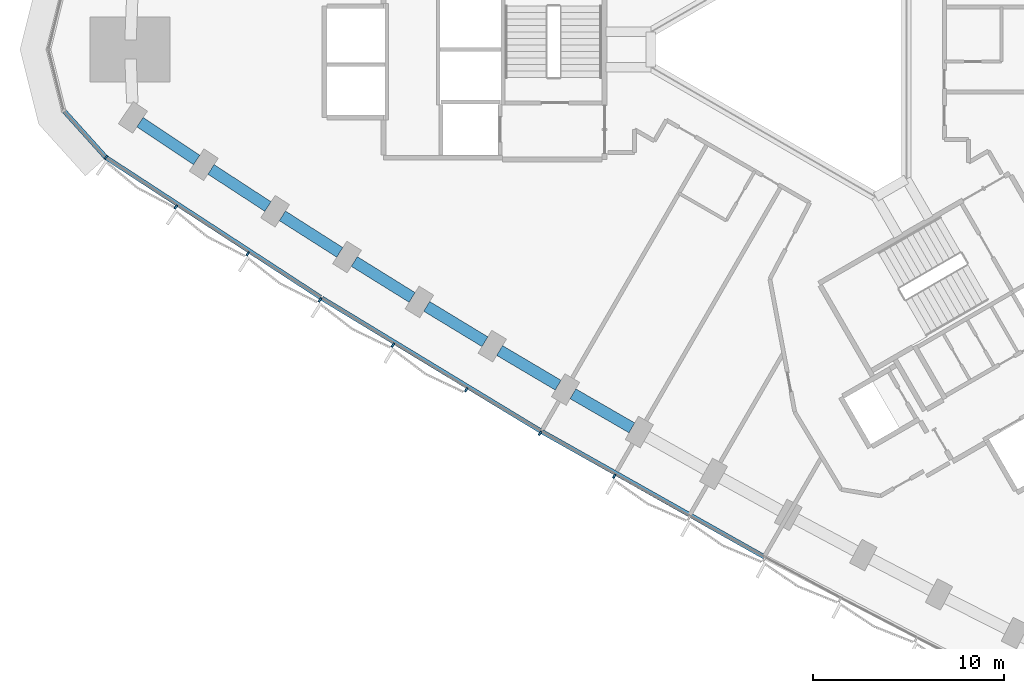
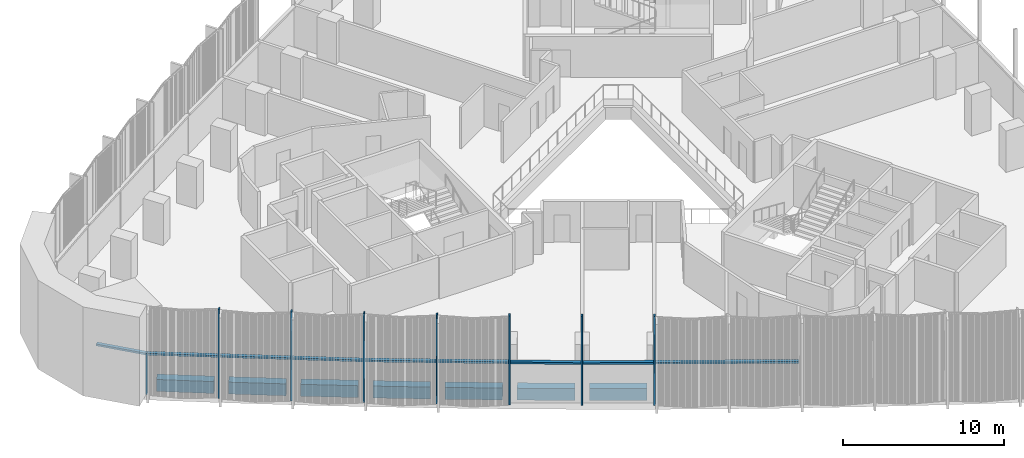
# One storey, part 2 of 16: 12 members, 7 beams, 2 elements without a shape of their own.
"""IFC4 building model written with IfcOpenShell, lengths in metres."""

from ifc_helpers import new_model, si_unit, direction, frame, origin, origin_2d, place, context, subcontext, project, spatial, rectangle, extrude, material, material_profile, profile_set, type_object, element, aggregate, save


model = new_model("IFC4")

# Units and contexts
model_context = context("Model", 3, precision=1e-05, world=origin(), true_north=direction((0.0, 1.0)))
body_context = subcontext(model_context, "Body", "Model", "MODEL_VIEW")
ifc_project = project(units=[si_unit("LENGTHUNIT", "METRE"), si_unit("AREAUNIT", "SQUARE_METRE"), si_unit("VOLUMEUNIT", "CUBIC_METRE"), si_unit("PLANEANGLEUNIT", "RADIAN"), si_unit("MASSUNIT", "GRAM", prefix="KILO")], contexts=[model_context])

# Site, building, storey
site_placement = place(None, origin())
site = spatial("IfcSite", under=ifc_project, at=site_placement, CompositionType="ELEMENT")
building_placement = place(site_placement, origin())
building = spatial("IfcBuilding", under=site, at=building_placement, Name="Tamra Quay Hotel Tower", CompositionType="ELEMENT")
storey_placement = place(building_placement, frame((0.0, 0.0, 56.60009765625)))
storey = spatial("IfcBuildingStorey", under=building, at=storey_placement, Name="L12", CompositionType="ELEMENT", Elevation=56.60009765625)

# Curtain wall, members
ifc_material_1 = material(Name="Aluminium 6063 anodised dark grey", Category="aluminium")
curtain_wall_type_1 = type_object("IfcCurtainWallType", Name="CW3 CURTAIN WALL", PredefinedType="NOTDEFINED", material=ifc_material_1)
curtain_wall_1_placement = place(storey_placement, origin())
curtain_wall_1 = element("IfcCurtainWall", 1, at=curtain_wall_1_placement, inside=storey, type_object=curtain_wall_type_1, Name="CW3 south-west face L12", PredefinedType="NOTDEFINED")
ifc_material_profile_1 = material_profile(ifc_material_1, rectangle(XDim=0.239990234375, YDim=0.10009765625, at=origin_2d()), Name="MULLION 100X240")
ifc_profile_set_1 = profile_set([ifc_material_profile_1], Name="Aluminium 6063 anodised dark grey")
member_type_1 = type_object("IfcMemberType", Name="MULLION CW3 Z1", PredefinedType="MULLION", material=ifc_profile_set_1)
member_1_placement = place(storey_placement, frame((-37.001708984375, -5.6669921875, 0.0), z_axis=(0.0, 0.0, 1.0), x_axis=(-0.654196739281, -0.756324418695, 0.0)))
member_1 = element("IfcMember", 2, at=member_1_placement, type_object=member_type_1, Name="CW3 mullion L12.SW.1", PredefinedType="MULLION", context=body_context, shape_type="SweptSolid", body=[
    extrude(rectangle(XDim=0.239990234375, YDim=0.10009765625, at=origin_2d()), origin(), (0.0, 0.0, 1.0), 3.125),
])
member_2_placement = place(storey_placement, frame((-33.32763671875, -8.262939453125, 0.0), z_axis=(0.0, 0.0, 1.0), x_axis=(-0.550591210923, -0.834775010679, 0.0)))
member_2 = element("IfcMember", 3, at=member_2_placement, type_object=member_type_1, Name="CW3 mullion L12.SW.2", PredefinedType="MULLION", context=body_context, shape_type="SweptSolid", body=[
    extrude(rectangle(XDim=0.239990234375, YDim=0.10009765625, at=origin_2d()), origin(), (0.0, 0.0, 1.0), 6.724853515625),
])
member_3_placement = place(storey_placement, frame((-29.5576171875, -10.720458984375, 0.0), z_axis=(0.0, 0.0, 1.0), x_axis=(-0.541560699791, -0.840661649204, 0.0)))
member_3 = element("IfcMember", 4, at=member_3_placement, type_object=member_type_1, Name="CW3 mullion L12.SW.3", PredefinedType="MULLION", context=body_context, shape_type="SweptSolid", body=[
    extrude(rectangle(XDim=0.239990234375, YDim=0.10009765625, at=origin_2d()), origin(), (0.0, 0.0, 1.0), 6.724853515625),
])
member_4_placement = place(storey_placement, frame((-25.7626953125, -13.136474609375, 0.0), z_axis=(0.0, 0.0, 1.0), x_axis=(-0.532446769932, -0.846463488397, 0.0)))
member_4 = element("IfcMember", 5, at=member_4_placement, type_object=member_type_1, Name="CW3 mullion L12.SW.4", PredefinedType="MULLION", context=body_context, shape_type="SweptSolid", body=[
    extrude(rectangle(XDim=0.239990234375, YDim=0.10009765625, at=origin_2d()), origin(), (0.0, 0.0, 1.0), 6.724853515625),
])
member_5_placement = place(storey_placement, frame((-21.94189453125, -15.510986328125, 0.0), z_axis=(0.0, 0.0, 1.0), x_axis=(-0.523257107809, -0.852174864173, 0.0)))
member_5 = element("IfcMember", 6, at=member_5_placement, type_object=member_type_1, Name="CW3 mullion L12.SW.5", PredefinedType="MULLION", context=body_context, shape_type="SweptSolid", body=[
    extrude(rectangle(XDim=0.239990234375, YDim=0.10009765625, at=origin_2d()), origin(), (0.0, 0.0, 1.0), 6.724853515625),
])
member_6_placement = place(storey_placement, frame((-18.09423828125, -17.844970703125, 0.0), z_axis=(0.0, 0.0, 1.0), x_axis=(-0.514004208519, -0.857787662318, 0.0)))
member_6 = element("IfcMember", 7, at=member_6_placement, type_object=member_type_1, Name="CW3 mullion L12.SW.6", PredefinedType="MULLION", context=body_context, shape_type="SweptSolid", body=[
    extrude(rectangle(XDim=0.239990234375, YDim=0.10009765625, at=origin_2d()), origin(), (0.0, 0.0, 1.0), 6.724853515625),
])
member_7_placement = place(storey_placement, frame((-14.222900390625, -20.136474609375, 0.0), z_axis=(0.0, 0.0, 1.0), x_axis=(-0.504684780346, -0.863303696556, 0.0)))
member_7 = element("IfcMember", 8, at=member_7_placement, type_object=member_type_1, Name="CW3 mullion L12.SW.7", PredefinedType="MULLION", context=body_context, shape_type="SweptSolid", body=[
    extrude(rectangle(XDim=0.239990234375, YDim=0.10009765625, at=origin_2d()), origin(), (0.0, 0.0, 1.0), 6.724853515625),
])
member_8_placement = place(storey_placement, frame((-10.3271484375, -22.3857421875, 0.0), z_axis=(0.0, 0.0, 1.0), x_axis=(-0.495300542226, -0.868721688961, 0.0)))
member_8 = element("IfcMember", 9, at=member_8_placement, type_object=member_type_1, Name="CW3 mullion L12.SW.8", PredefinedType="MULLION", context=body_context, shape_type="SweptSolid", body=[
    extrude(rectangle(XDim=0.239990234375, YDim=0.10009765625, at=origin_2d()), origin(), (0.0, 0.0, 1.0), 6.724853515625),
])

# Beams
ifc_material_2 = material(Name="Concrete M60", Category="concrete")
ifc_material_profile_2 = material_profile(ifc_material_2, rectangle(XDim=0.60009765625, YDim=0.89990234375, at=origin_2d()), Name="SPANDREL BEAM RC 600x900")
ifc_profile_set_2 = profile_set([ifc_material_profile_2], Name="Concrete M60")
beam_type = type_object("IfcBeamType", Name="SPANDREL BEAM RC 600x900", PredefinedType="SPANDREL", material=ifc_profile_set_2)
beam_1_placement = place(storey_placement, frame((-35.209228515625, -3.814697265625, -0.925048828125), z_axis=(0.831818807601, -0.555047269448, 0.0), x_axis=(0.555047269448, 0.831818807601, 0.0)))
element("IfcBeam", 10, at=beam_1_placement, inside=storey, type_object=beam_type, Name="BM-SP1-030-L12", PredefinedType="SPANDREL", context=body_context, shape_type="SweptSolid", body=[
    extrude(rectangle(XDim=0.60009765625, YDim=0.89990234375, at=origin_2d()), origin(), (0.0, 0.0, 1.0), 3.57080078125),
])
beam_2_placement = place(storey_placement, frame((-31.48779296875, -6.292236328125, -0.925048828125), z_axis=(0.837739819239, -0.546069588296, 0.0), x_axis=(0.546069588296, 0.837739819239, 0.0)))
element("IfcBeam", 11, at=beam_2_placement, inside=storey, type_object=beam_type, Name="BM-SP1-031-L12", PredefinedType="SPANDREL", context=body_context, shape_type="SweptSolid", body=[
    extrude(rectangle(XDim=0.60009765625, YDim=0.89990234375, at=origin_2d()), origin(), (0.0, 0.0, 1.0), 3.570068359375),
])
beam_3_placement = place(storey_placement, frame((-27.740478515625, -8.729248046875, -0.925048828125), z_axis=(0.843593906333, -0.53698167678, 0.0), x_axis=(0.53698167678, 0.843593906333, 0.0)))
element("IfcBeam", 12, at=beam_3_placement, inside=storey, type_object=beam_type, Name="BM-SP1-032-L12", PredefinedType="SPANDREL", context=body_context, shape_type="SweptSolid", body=[
    extrude(rectangle(XDim=0.60009765625, YDim=0.89990234375, at=origin_2d()), origin(), (0.0, 0.0, 1.0), 3.5703125),
])
beam_4_placement = place(storey_placement, frame((-23.966552734375, -11.125732421875, -0.925048828125), z_axis=(0.849320953317, -0.527876802158, 0.0), x_axis=(0.527876802158, 0.849320953317, 0.0)))
element("IfcBeam", 13, at=beam_4_placement, inside=storey, type_object=beam_type, Name="BM-SP1-033-L12", PredefinedType="SPANDREL", context=body_context, shape_type="SweptSolid", body=[
    extrude(rectangle(XDim=0.60009765625, YDim=0.89990234375, at=origin_2d()), origin(), (0.0, 0.0, 1.0), 3.570556640625),
])
beam_5_placement = place(storey_placement, frame((-20.1669921875, -13.4814453125, -0.925048828125), z_axis=(0.854966252085, -0.518683629775, 0.0), x_axis=(0.518683629775, 0.854966252085, 0.0)))
element("IfcBeam", 14, at=beam_5_placement, inside=storey, type_object=beam_type, Name="BM-SP1-034-L12", PredefinedType="SPANDREL", context=body_context, shape_type="SweptSolid", body=[
    extrude(rectangle(XDim=0.60009765625, YDim=0.89990234375, at=origin_2d()), origin(), (0.0, 0.0, 1.0), 3.56982421875),
])
beam_6_placement = place(storey_placement, frame((-16.3427734375, -15.79541015625, -0.925048828125), z_axis=(0.860524689034, -0.509408735264, 0.0), x_axis=(0.509408735264, 0.860524689034, 0.0)))
element("IfcBeam", 15, at=beam_6_placement, inside=storey, type_object=beam_type, Name="BM-SP1-035-L12", PredefinedType="SPANDREL", context=body_context, shape_type="SweptSolid", body=[
    extrude(rectangle(XDim=0.60009765625, YDim=0.89990234375, at=origin_2d()), origin(), (0.0, 0.0, 1.0), 3.570556640625),
])
beam_7_placement = place(storey_placement, frame((-12.493408203125, -18.068359375, -0.925048828125), z_axis=(0.866017069707, -0.500014434768, 0.0), x_axis=(0.500014434768, 0.866017069707, 0.0)))
element("IfcBeam", 16, at=beam_7_placement, inside=storey, type_object=beam_type, Name="BM-SP1-036-L12", PredefinedType="SPANDREL", context=body_context, shape_type="SweptSolid", body=[
    extrude(rectangle(XDim=0.60009765625, YDim=0.89990234375, at=origin_2d()), origin(), (0.0, 0.0, 1.0), 3.57080078125),
])

# Curtain wall, member
curtain_wall_type_2 = type_object("IfcCurtainWallType", Name="CW2 CURTAIN WALL", PredefinedType="NOTDEFINED", material=ifc_material_1)
curtain_wall_2_placement = place(storey_placement, origin())
curtain_wall_2 = element("IfcCurtainWall", 17, at=curtain_wall_2_placement, inside=storey, type_object=curtain_wall_type_2, Name="CW2 north-west face L12", PredefinedType="NOTDEFINED")
ifc_material_profile_3 = material_profile(ifc_material_1, rectangle(XDim=0.239990234375, YDim=0.139892578125, at=origin_2d()), Name="TRANSOM 240X140")
ifc_profile_set_3 = profile_set([ifc_material_profile_3], Name="Aluminium 6063 anodised dark grey")
member_type_2 = type_object("IfcMemberType", Name="TRANSOM CW2 Z1", PredefinedType="USERDEFINED", material=ifc_profile_set_3)
member_9_placement = place(storey_placement, frame((-39.18115234375, -3.246337890625, 3.054931640625), z_axis=(0.669103504087, -0.743169227577, 0.0), x_axis=(0.743169227577, 0.669103504087, 0.0)))
member_9 = element("IfcMember", 18, at=member_9_placement, type_object=member_type_2, Name="CW2 transom L12.NW.17", ObjectType="TRANSOM", PredefinedType="USERDEFINED", context=body_context, shape_type="SweptSolid", body=[
    extrude(rectangle(XDim=0.239990234375, YDim=0.139892578125, at=origin_2d()), origin(), (0.0, 0.0, 1.0), 3.207275390625),
])
aggregate(curtain_wall_2, [member_9])

# Member
ifc_material_profile_4 = material_profile(ifc_material_1, rectangle(XDim=0.239990234375, YDim=0.139892578125, at=origin_2d()), Name="TRANSOM 240X140")
ifc_profile_set_4 = profile_set([ifc_material_profile_4], Name="Aluminium 6063 anodised dark grey")
member_type_3 = type_object("IfcMemberType", Name="TRANSOM CW3 Z1", PredefinedType="USERDEFINED", material=ifc_profile_set_4)
member_10_placement = place(storey_placement, frame((-36.9599609375, -5.69482421875, 3.054931640625), z_axis=(0.837738597212, -0.546071463036, 0.0), x_axis=(0.546071463036, 0.837738597212, 0.0)))
member_10 = element("IfcMember", 19, at=member_10_placement, type_object=member_type_3, Name="CW3 transom L12.SW.1", ObjectType="TRANSOM", PredefinedType="USERDEFINED", context=body_context, shape_type="SweptSolid", body=[
    extrude(rectangle(XDim=0.239990234375, YDim=0.139892578125, at=origin_2d()), origin(), (0.0, 0.0, 1.0), 13.39208984375),
])

member_11_placement = place(storey_placement, frame((-25.656494140625, -13.061279296875, 3.054931640625), z_axis=(0.854996255935, -0.518634170044, 0.0), x_axis=(0.518634170044, 0.854996255935, 0.0)))
member_11 = element("IfcMember", 20, at=member_11_placement, type_object=member_type_3, Name="CW3 transom L12.SW.4", ObjectType="TRANSOM", PredefinedType="USERDEFINED", context=body_context, shape_type="SweptSolid", body=[
    extrude(rectangle(XDim=0.239990234375, YDim=0.139892578125, at=origin_2d()), origin(), (0.0, 0.0, 1.0), 13.39306640625),
])

member_12_placement = place(storey_placement, frame((-14.119140625, -20.057861328125, 3.054931640625), z_axis=(0.871397788328, -0.490577103518, 0.0), x_axis=(0.490577103518, 0.871397788328, 0.0)))
member_12 = element("IfcMember", 21, at=member_12_placement, type_object=member_type_3, Name="CW3 transom L12.SW.7", ObjectType="TRANSOM", PredefinedType="USERDEFINED", context=body_context, shape_type="SweptSolid", body=[
    extrude(rectangle(XDim=0.239990234375, YDim=0.139892578125, at=origin_2d()), origin(), (0.0, 0.0, 1.0), 13.39306640625),
])

aggregate(curtain_wall_1, [member_1, member_10, member_2, member_3, member_4, member_11, member_5, member_6, member_7, member_12, member_8])

save(model, "model.ifc")
